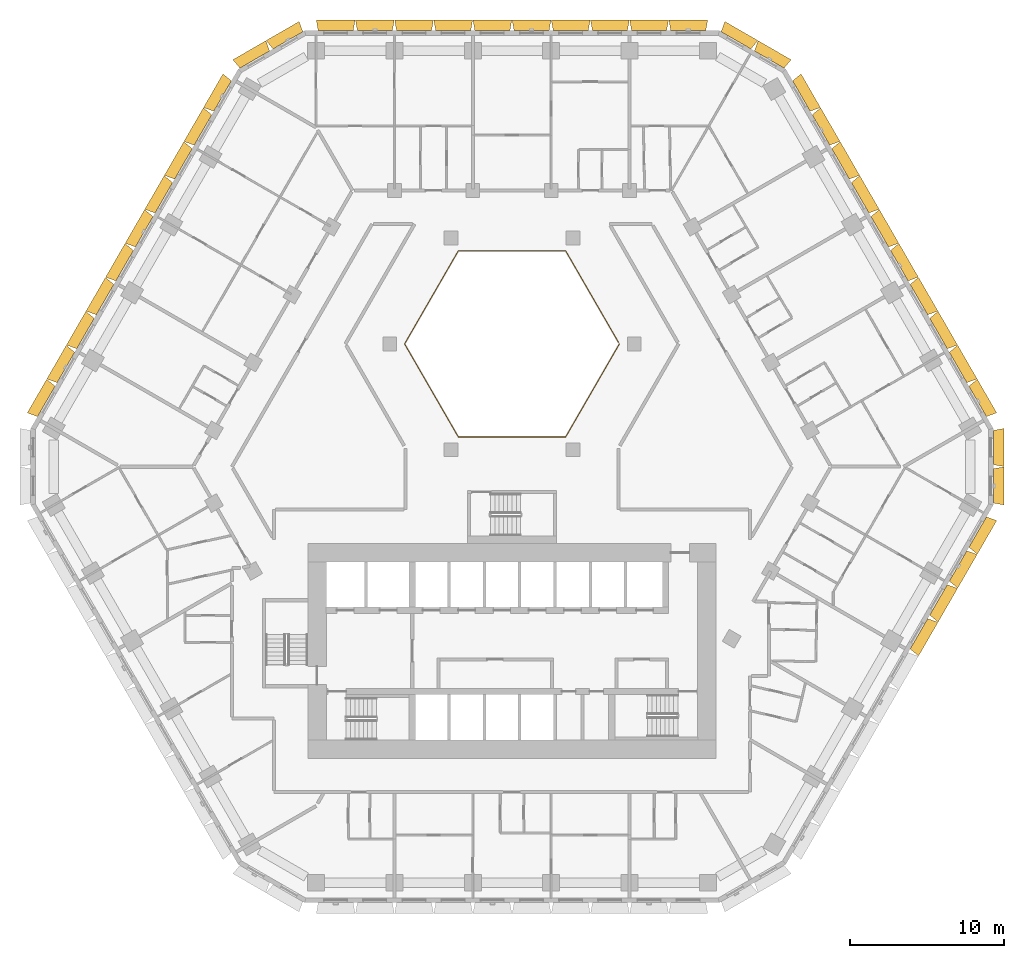
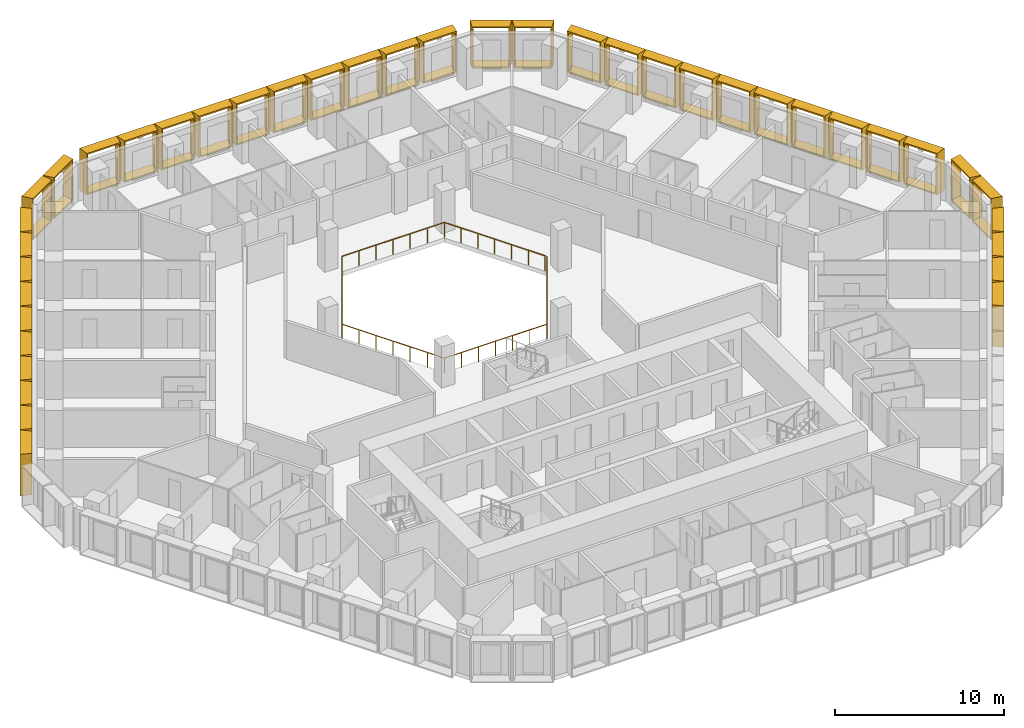
# One storey, part 21 of 21: 40 shading devices, 1 railing.
"""IFC4 building model written with IfcOpenShell, lengths in metres."""

from ifc_helpers import new_model, entity, si_unit, direction, frame, origin, origin_2d, place, context, subcontext, project, spatial, rectangle, extrude, source, transform, mapped, material, type_object, type_shapes, element, save


model = new_model("IFC4")

# Units and contexts
model_context = context("Model", 3, precision=1e-05, world=origin(), true_north=direction((0.0, 1.0)))
body_context = subcontext(model_context, "Body", "Model", "MODEL_VIEW")
ifc_project = project(units=[si_unit("LENGTHUNIT", "METRE"), si_unit("AREAUNIT", "SQUARE_METRE"), si_unit("VOLUMEUNIT", "CUBIC_METRE"), si_unit("PLANEANGLEUNIT", "RADIAN"), si_unit("MASSUNIT", "GRAM", prefix="KILO")], contexts=[model_context])

# Site, building, storey
site_placement = place(None, origin())
site = spatial("IfcSite", under=ifc_project, at=site_placement, CompositionType="ELEMENT")
building_placement = place(site_placement, origin())
building = spatial("IfcBuilding", under=site, at=building_placement, Name="Beryl Residences", CompositionType="ELEMENT")
storey_placement = place(building_placement, frame((0.0, 0.0, 47.39990234375)))
storey = spatial("IfcBuildingStorey", under=building, at=storey_placement, Name="L14", CompositionType="ELEMENT", Elevation=47.39990234375)

# Railing
ifc_material_1 = material(Name="Stainless steel balustrade with glass infill", Category="steel")
railing_type = type_object("IfcRailingType", Name="EG1 edge guard 1100 mm", PredefinedType="GUARDRAIL", material=ifc_material_1)
railing_placement = place(storey_placement, frame((6.9970703125, 8.0, 0.0)))
element("IfcRailing", 1, at=railing_placement, inside=storey, type_object=railing_type, Name="L14 atrium guard", PredefinedType="GUARDRAIL", context=body_context, shape_type="SweptSolid", body=[
    extrude(rectangle(XDim=0.048095703125, YDim=0.048095703125, at=origin_2d()), frame((0.0, 0.0, 1.076171875), z_axis=(-0.499921796684, -0.866070549782, 0.0), x_axis=(0.866070549782, -0.499921796684, 0.0)), (0.0, 0.0, 1.0), 6.9970703125),
    extrude(rectangle(XDim=0.048095703125, YDim=0.048095703125, at=origin_2d()), frame((-3.498046875, -6.06005859375, 1.076171875), z_axis=(-1.0, 0.0, 0.0), x_axis=(0.0, -1.0, 0.0)), (0.0, 0.0, 1.0), 6.998046875),
    extrude(rectangle(XDim=0.048095703125, YDim=0.048095703125, at=origin_2d()), frame((-10.49609375, -6.06005859375, 1.076171875), z_axis=(-0.499921796684, 0.866070549782, 0.0), x_axis=(-0.866070549782, -0.499921796684, 0.0)), (0.0, 0.0, 1.0), 6.9970703125),
    extrude(rectangle(XDim=0.048095703125, YDim=0.048095703125, at=origin_2d()), frame((-13.994140625, 0.0, 1.076171875), z_axis=(0.499921796684, 0.866070549782, 0.0), x_axis=(-0.866070549782, 0.499921796684, 0.0)), (0.0, 0.0, 1.0), 6.9970703125),
    extrude(rectangle(XDim=0.048095703125, YDim=0.048095703125, at=origin_2d()), frame((-10.49609375, 6.06005859375, 1.076171875), z_axis=(1.0, 0.0, 0.0), x_axis=(0.0, 1.0, 0.0)), (0.0, 0.0, 1.0), 6.998046875),
    extrude(rectangle(XDim=0.048095703125, YDim=0.048095703125, at=origin_2d()), frame((-3.498046875, 6.06005859375, 1.076171875), z_axis=(0.499919131929, -0.866072087953, 0.0), x_axis=(0.866072087953, 0.499919131929, 0.0)), (0.0, 0.0, 1.0), 6.877197265625),
    extrude(rectangle(XDim=0.0419921875, YDim=0.0419921875, at=origin_2d()), origin(), (0.0, 0.0, 1.0), 1.052001953125),
    extrude(rectangle(XDim=0.0419921875, YDim=0.0419921875, at=origin_2d()), frame((-0.5830078125, -1.010009765625, 0.0)), (0.0, 0.0, 1.0), 1.052001953125),
    extrude(rectangle(XDim=0.0419921875, YDim=0.0419921875, at=origin_2d()), frame((-1.166015625, -2.02001953125, 0.0)), (0.0, 0.0, 1.0), 1.052001953125),
    extrude(rectangle(XDim=0.0419921875, YDim=0.0419921875, at=origin_2d()), frame((-1.7490234375, -3.030029296875, 0.0)), (0.0, 0.0, 1.0), 1.052001953125),
    extrude(rectangle(XDim=0.0419921875, YDim=0.0419921875, at=origin_2d()), frame((-2.33203125, -4.0400390625, 0.0)), (0.0, 0.0, 1.0), 1.052001953125),
    extrude(rectangle(XDim=0.0419921875, YDim=0.0419921875, at=origin_2d()), frame((-2.9150390625, -5.050048828125, 0.0)), (0.0, 0.0, 1.0), 1.052001953125),
    extrude(rectangle(XDim=0.0419921875, YDim=0.0419921875, at=origin_2d()), frame((-3.498046875, -6.06005859375, 0.0)), (0.0, 0.0, 1.0), 1.052001953125),
    extrude(rectangle(XDim=0.0419921875, YDim=0.0419921875, at=origin_2d()), frame((-4.664306640625, -6.06005859375, 0.0)), (0.0, 0.0, 1.0), 1.052001953125),
    extrude(rectangle(XDim=0.0419921875, YDim=0.0419921875, at=origin_2d()), frame((-5.830810546875, -6.06005859375, 0.0)), (0.0, 0.0, 1.0), 1.052001953125),
    extrude(rectangle(XDim=0.0419921875, YDim=0.0419921875, at=origin_2d()), frame((-6.9970703125, -6.06005859375, 0.0)), (0.0, 0.0, 1.0), 1.052001953125),
    extrude(rectangle(XDim=0.0419921875, YDim=0.0419921875, at=origin_2d()), frame((-8.163330078125, -6.06005859375, 0.0)), (0.0, 0.0, 1.0), 1.052001953125),
    extrude(rectangle(XDim=0.0419921875, YDim=0.0419921875, at=origin_2d()), frame((-9.329833984375, -6.06005859375, 0.0)), (0.0, 0.0, 1.0), 1.052001953125),
    extrude(rectangle(XDim=0.0419921875, YDim=0.0419921875, at=origin_2d()), frame((-10.49609375, -6.06005859375, 0.0)), (0.0, 0.0, 1.0), 1.052001953125),
    extrude(rectangle(XDim=0.0419921875, YDim=0.0419921875, at=origin_2d()), frame((-11.0791015625, -5.050048828125, 0.0)), (0.0, 0.0, 1.0), 1.052001953125),
    extrude(rectangle(XDim=0.0419921875, YDim=0.0419921875, at=origin_2d()), frame((-11.662109375, -4.0400390625, 0.0)), (0.0, 0.0, 1.0), 1.052001953125),
    extrude(rectangle(XDim=0.0419921875, YDim=0.0419921875, at=origin_2d()), frame((-12.2451171875, -3.030029296875, 0.0)), (0.0, 0.0, 1.0), 1.052001953125),
    extrude(rectangle(XDim=0.0419921875, YDim=0.0419921875, at=origin_2d()), frame((-12.828125, -2.02001953125, 0.0)), (0.0, 0.0, 1.0), 1.052001953125),
    extrude(rectangle(XDim=0.0419921875, YDim=0.0419921875, at=origin_2d()), frame((-13.4111328125, -1.010009765625, 0.0)), (0.0, 0.0, 1.0), 1.052001953125),
    extrude(rectangle(XDim=0.0419921875, YDim=0.0419921875, at=origin_2d()), frame((-13.994140625, 0.0, 0.0)), (0.0, 0.0, 1.0), 1.052001953125),
    extrude(rectangle(XDim=0.0419921875, YDim=0.0419921875, at=origin_2d()), frame((-13.4111328125, 1.010009765625, 0.0)), (0.0, 0.0, 1.0), 1.052001953125),
    extrude(rectangle(XDim=0.0419921875, YDim=0.0419921875, at=origin_2d()), frame((-12.828125, 2.02001953125, 0.0)), (0.0, 0.0, 1.0), 1.052001953125),
    extrude(rectangle(XDim=0.0419921875, YDim=0.0419921875, at=origin_2d()), frame((-12.2451171875, 3.030029296875, 0.0)), (0.0, 0.0, 1.0), 1.052001953125),
    extrude(rectangle(XDim=0.0419921875, YDim=0.0419921875, at=origin_2d()), frame((-11.662109375, 4.0400390625, 0.0)), (0.0, 0.0, 1.0), 1.052001953125),
    extrude(rectangle(XDim=0.0419921875, YDim=0.0419921875, at=origin_2d()), frame((-11.0791015625, 5.050048828125, 0.0)), (0.0, 0.0, 1.0), 1.052001953125),
    extrude(rectangle(XDim=0.0419921875, YDim=0.0419921875, at=origin_2d()), frame((-10.49609375, 6.06005859375, 0.0)), (0.0, 0.0, 1.0), 1.052001953125),
    extrude(rectangle(XDim=0.0419921875, YDim=0.0419921875, at=origin_2d()), frame((-9.329833984375, 6.06005859375, 0.0)), (0.0, 0.0, 1.0), 1.052001953125),
    extrude(rectangle(XDim=0.0419921875, YDim=0.0419921875, at=origin_2d()), frame((-8.163330078125, 6.06005859375, 0.0)), (0.0, 0.0, 1.0), 1.052001953125),
    extrude(rectangle(XDim=0.0419921875, YDim=0.0419921875, at=origin_2d()), frame((-6.9970703125, 6.06005859375, 0.0)), (0.0, 0.0, 1.0), 1.052001953125),
    extrude(rectangle(XDim=0.0419921875, YDim=0.0419921875, at=origin_2d()), frame((-5.830810546875, 6.06005859375, 0.0)), (0.0, 0.0, 1.0), 1.052001953125),
    extrude(rectangle(XDim=0.0419921875, YDim=0.0419921875, at=origin_2d()), frame((-4.664306640625, 6.06005859375, 0.0)), (0.0, 0.0, 1.0), 1.052001953125),
    extrude(rectangle(XDim=0.0419921875, YDim=0.0419921875, at=origin_2d()), frame((-3.498046875, 6.06005859375, 0.0)), (0.0, 0.0, 1.0), 1.052001953125),
    extrude(rectangle(XDim=0.0419921875, YDim=0.0419921875, at=origin_2d()), frame((-2.925048828125, 5.0673828125, 0.0)), (0.0, 0.0, 1.0), 1.052001953125),
    extrude(rectangle(XDim=0.0419921875, YDim=0.0419921875, at=origin_2d()), frame((-2.35205078125, 4.07470703125, 0.0)), (0.0, 0.0, 1.0), 1.052001953125),
    extrude(rectangle(XDim=0.0419921875, YDim=0.0419921875, at=origin_2d()), frame((-1.779052734375, 3.08203125, 0.0)), (0.0, 0.0, 1.0), 1.052001953125),
    extrude(rectangle(XDim=0.0419921875, YDim=0.0419921875, at=origin_2d()), frame((-1.2060546875, 2.08935546875, 0.0)), (0.0, 0.0, 1.0), 1.052001953125),
    extrude(rectangle(XDim=0.0419921875, YDim=0.0419921875, at=origin_2d()), frame((-0.633056640625, 1.0966796875, 0.0)), (0.0, 0.0, 1.0), 1.052001953125),
    extrude(rectangle(XDim=0.0419921875, YDim=0.0419921875, at=origin_2d()), frame((-0.06005859375, 0.10400390625, 0.0)), (0.0, 0.0, 1.0), 1.052001953125),
])

# Shading devices
ifc_material_2 = material(Name="Aluminium pale anodised", Category="aluminium")
shading_device_type_1 = type_object("IfcShadingDeviceType", Name="FR250-70A OUTER SKIN frame 700 mm deep, splay 10/10 deg, 2500 x 3000 mm cell", PredefinedType="USERDEFINED", material=ifc_material_2)
cartesian_point_1 = entity("IfcCartesianPoint", [-1.116455078125, 0.0])
cartesian_point_2 = entity("IfcCartesianPoint", [-1.03515625, 0.10009765625])
cartesian_point_3 = entity("IfcCartesianPoint", [-1.239990234375, 0.0])
cartesian_point_4 = entity("IfcCartesianPoint", [-1.15869140625, 0.10009765625])
shared_shape_1 = source(origin(), body_context, "Body", "SweptSolid", [
    entity("IfcExtrudedAreaSolidTapered", entity("IfcArbitraryProfileDefWithVoids", "AREA", None, entity("IfcPolyline", [cartesian_point_1, entity("IfcCartesianPoint", [1.116455078125, 0.0]), entity("IfcCartesianPoint", [1.116455078125, 3.0]), entity("IfcCartesianPoint", [-1.116455078125, 3.0]), cartesian_point_1]), [entity("IfcPolyline", [cartesian_point_2, entity("IfcCartesianPoint", [1.03515625, 0.10009765625]), entity("IfcCartesianPoint", [1.03515625, 2.89990234375]), entity("IfcCartesianPoint", [-1.03515625, 2.89990234375]), cartesian_point_2])]), entity("IfcAxis2Placement3D", entity("IfcCartesianPoint", [0.0, 0.0, 0.0]), entity("IfcDirection", [0.0, 1.0, 0.0]), entity("IfcDirection", [-1.0, 0.0, 0.0])), entity("IfcDirection", [0.0, 0.0, 1.0]), 0.699951171875, entity("IfcArbitraryProfileDefWithVoids", "AREA", None, entity("IfcPolyline", [cartesian_point_3, entity("IfcCartesianPoint", [1.239990234375, 0.0]), entity("IfcCartesianPoint", [1.239990234375, 3.0]), entity("IfcCartesianPoint", [-1.239990234375, 3.0]), cartesian_point_3]), [entity("IfcPolyline", [cartesian_point_4, entity("IfcCartesianPoint", [1.15869140625, 0.10009765625]), entity("IfcCartesianPoint", [1.15869140625, 2.89990234375]), entity("IfcCartesianPoint", [-1.15869140625, 2.89990234375]), cartesian_point_4])])),
])
type_shapes(shading_device_type_1, [shared_shape_1])
for number, where, z_axis, x_axis, name in (
    (2, (-14.593017578125, 27.77490234375, 0.0), (0.0, 0.0, 1.0), (0.866025403784, 0.5, 0.0), "FR250-70A frame L14 N-NW 1"),
    (3, (-16.758056640625, 26.52490234375, 0.0), (0.0, 0.0, 1.0), (0.866025403784, 0.5, 0.0), "FR250-70A frame L14 N-NW 2"),
    (4, (31.35009765625, -1.25, 0.0), (0.0, 0.0, 1.0), (0.0, -1.0, 0.0), "FR250-70A frame L14 SE-NE 1"),
    (5, (31.35009765625, 1.25, 0.0), (0.0, 0.0, 1.0), (0.0, -1.0, 0.0), "FR250-70A frame L14 SE-NE 2"),
    (6, (16.758056640625, 26.52490234375, 0.0), (0.0, 0.0, 1.0), (0.866025403784, -0.5, 0.0), "FR250-70A frame L14 NE-N 1"),
    (7, (14.593017578125, 27.77490234375, 0.0), (0.0, 0.0, 1.0), (0.866025403784, -0.5, 0.0), "FR250-70A frame L14 NE-N 2"),
):
    element("IfcShadingDevice", number, at=place(storey_placement, frame(where, z_axis=z_axis, x_axis=x_axis)), inside=storey, type_object=shading_device_type_1, Name=name, ObjectType="OUTER SKIN", PredefinedType="USERDEFINED", context=body_context, shape_type="MappedRepresentation", body=[
        mapped(shared_shape_1, transform((0.0, 0.0, 0.0))),
    ])
ifc_material_3 = material(Name="Aluminium pale anodised", Category="aluminium")
shading_device_type_2 = type_object("IfcShadingDeviceType", Name="FR255-70A OUTER SKIN frame 700 mm deep, splay 10/10 deg, 2550 x 3000 mm cell", PredefinedType="USERDEFINED", material=ifc_material_3)
cartesian_point_5 = entity("IfcCartesianPoint", [-1.1416015625, 0.0])
cartesian_point_6 = entity("IfcCartesianPoint", [-1.060302734375, 0.10009765625])
cartesian_point_7 = entity("IfcCartesianPoint", [-1.264892578125, 0.0])
cartesian_point_8 = entity("IfcCartesianPoint", [-1.18359375, 0.10009765625])
shared_shape_2 = source(origin(), body_context, "Body", "SweptSolid", [
    entity("IfcExtrudedAreaSolidTapered", entity("IfcArbitraryProfileDefWithVoids", "AREA", None, entity("IfcPolyline", [cartesian_point_5, entity("IfcCartesianPoint", [1.1416015625, 0.0]), entity("IfcCartesianPoint", [1.1416015625, 3.0]), entity("IfcCartesianPoint", [-1.1416015625, 3.0]), cartesian_point_5]), [entity("IfcPolyline", [cartesian_point_6, entity("IfcCartesianPoint", [1.060302734375, 0.10009765625]), entity("IfcCartesianPoint", [1.060302734375, 2.89990234375]), entity("IfcCartesianPoint", [-1.060302734375, 2.89990234375]), cartesian_point_6])]), entity("IfcAxis2Placement3D", entity("IfcCartesianPoint", [0.0, 0.0, 0.0]), entity("IfcDirection", [0.0, 1.0, 0.0]), entity("IfcDirection", [-1.0, 0.0, 0.0])), entity("IfcDirection", [0.0, 0.0, 1.0]), 0.699951171875, entity("IfcArbitraryProfileDefWithVoids", "AREA", None, entity("IfcPolyline", [cartesian_point_7, entity("IfcCartesianPoint", [1.264892578125, 0.0]), entity("IfcCartesianPoint", [1.264892578125, 3.0]), entity("IfcCartesianPoint", [-1.264892578125, 3.0]), cartesian_point_7]), [entity("IfcPolyline", [cartesian_point_8, entity("IfcCartesianPoint", [1.18359375, 0.10009765625]), entity("IfcCartesianPoint", [1.18359375, 2.89990234375]), entity("IfcCartesianPoint", [-1.18359375, 2.89990234375]), cartesian_point_8])])),
])
type_shapes(shading_device_type_2, [shared_shape_2])
for number, where, z_axis, x_axis, name in (
    (8, (11.48291015625, 28.39990234375, 0.0), (0.0, 0.0, 1.0), (1.0, 0.0, 0.0), "FR255-70A frame L14 N 1"),
    (9, (8.930908203125, 28.39990234375, 0.0), (0.0, 0.0, 1.0), (1.0, 0.0, 0.0), "FR255-70A frame L14 N 2"),
    (10, (6.37890625, 28.39990234375, 0.0), (0.0, 0.0, 1.0), (1.0, 0.0, 0.0), "FR255-70A frame L14 N 3"),
    (11, (3.826904296875, 28.39990234375, 0.0), (0.0, 0.0, 1.0), (1.0, 0.0, 0.0), "FR255-70A frame L14 N 4"),
    (12, (1.27490234375, 28.39990234375, 0.0), (0.0, 0.0, 1.0), (1.0, 0.0, 0.0), "FR255-70A frame L14 N 5"),
    (13, (-1.277099609375, 28.39990234375, 0.0), (0.0, 0.0, 1.0), (1.0, 0.0, 0.0), "FR255-70A frame L14 N 6"),
    (14, (-3.8291015625, 28.39990234375, 0.0), (0.0, 0.0, 1.0), (1.0, 0.0, 0.0), "FR255-70A frame L14 N 7"),
    (15, (-6.381103515625, 28.39990234375, 0.0), (0.0, 0.0, 1.0), (1.0, 0.0, 0.0), "FR255-70A frame L14 N 8"),
    (16, (-8.93310546875, 28.39990234375, 0.0), (0.0, 0.0, 1.0), (1.0, 0.0, 0.0), "FR255-70A frame L14 N 9"),
    (17, (-11.485107421875, 28.39990234375, 0.0), (0.0, 0.0, 1.0), (1.0, 0.0, 0.0), "FR255-70A frame L14 N 10"),
    (18, (-18.85400390625, 24.14501953125, 0.0), (0.0, 0.0, 1.0), (0.5, 0.866025403784, 0.0), "FR255-70A frame L14 NW 1"),
    (19, (-20.1298828125, 21.93505859375, 0.0), (0.0, 0.0, 1.0), (0.5, 0.866025403784, 0.0), "FR255-70A frame L14 NW 2"),
    (20, (-21.406005859375, 19.72412109375, 0.0), (0.0, 0.0, 1.0), (0.5, 0.866025403784, 0.0), "FR255-70A frame L14 NW 3"),
    (21, (-22.681884765625, 17.513916015625, 0.0), (0.0, 0.0, 1.0), (0.5, 0.866025403784, 0.0), "FR255-70A frame L14 NW 4"),
    (22, (-23.9580078125, 15.303955078125, 0.0), (0.0, 0.0, 1.0), (0.5, 0.866025403784, 0.0), "FR255-70A frame L14 NW 5"),
    (23, (-25.23291015625, 13.093994140625, 0.0), (0.0, 0.0, 1.0), (0.5, 0.866025403784, 0.0), "FR255-70A frame L14 NW 6"),
    (24, (-26.509033203125, 10.884033203125, 0.0), (0.0, 0.0, 1.0), (0.5, 0.866025403784, 0.0), "FR255-70A frame L14 NW 7"),
    (25, (-27.784912109375, 8.674072265625, 0.0), (0.0, 0.0, 1.0), (0.5, 0.866025403784, 0.0), "FR255-70A frame L14 NW 8"),
    (26, (-29.06103515625, 6.464111328125, 0.0), (0.0, 0.0, 1.0), (0.5, 0.866025403784, 0.0), "FR255-70A frame L14 NW 9"),
    (27, (-30.3369140625, 4.25390625, 0.0), (0.0, 0.0, 1.0), (0.5, 0.866025403784, 0.0), "FR255-70A frame L14 NW 10"),
    (28, (26.509033203125, -10.884033203125, 0.0), (0.0, 0.0, 1.0), (-0.5, -0.866025403784, 0.0), "FR255-70A frame L14 SE 7"),
    (29, (27.784912109375, -8.674072265625, 0.0), (0.0, 0.0, 1.0), (-0.5, -0.866025403784, 0.0), "FR255-70A frame L14 SE 8"),
    (30, (29.06103515625, -6.464111328125, 0.0), (0.0, 0.0, 1.0), (-0.5, -0.866025403784, 0.0), "FR255-70A frame L14 SE 9"),
    (31, (30.3369140625, -4.25390625, 0.0), (0.0, 0.0, 1.0), (-0.5, -0.866025403784, 0.0), "FR255-70A frame L14 SE 10"),
    (32, (30.3359375, 4.2548828125, 0.0), (0.0, 0.0, 1.0), (0.5, -0.866025403784, 0.0), "FR255-70A frame L14 NE 1"),
    (33, (29.06005859375, 6.465087890625, 0.0), (0.0, 0.0, 1.0), (0.5, -0.866025403784, 0.0), "FR255-70A frame L14 NE 2"),
    (34, (27.783935546875, 8.676025390625, 0.0), (0.0, 0.0, 1.0), (0.5, -0.866025403784, 0.0), "FR255-70A frame L14 NE 3"),
    (35, (26.508056640625, 10.885986328125, 0.0), (0.0, 0.0, 1.0), (0.5, -0.866025403784, 0.0), "FR255-70A frame L14 NE 4"),
    (36, (25.23193359375, 13.095947265625, 0.0), (0.0, 0.0, 1.0), (0.5, -0.866025403784, 0.0), "FR255-70A frame L14 NE 5"),
    (37, (23.95703125, 15.305908203125, 0.0), (0.0, 0.0, 1.0), (0.5, -0.866025403784, 0.0), "FR255-70A frame L14 NE 6"),
    (38, (22.680908203125, 17.51611328125, 0.0), (0.0, 0.0, 1.0), (0.5, -0.866025403784, 0.0), "FR255-70A frame L14 NE 7"),
    (39, (21.405029296875, 19.72607421875, 0.0), (0.0, 0.0, 1.0), (0.5, -0.866025403784, 0.0), "FR255-70A frame L14 NE 8"),
    (40, (20.12890625, 21.93603515625, 0.0), (0.0, 0.0, 1.0), (0.5, -0.866025403784, 0.0), "FR255-70A frame L14 NE 9"),
    (41, (18.85302734375, 24.14599609375, 0.0), (0.0, 0.0, 1.0), (0.5, -0.866025403784, 0.0), "FR255-70A frame L14 NE 10"),
):
    element("IfcShadingDevice", number, at=place(storey_placement, frame(where, z_axis=z_axis, x_axis=x_axis)), inside=storey, type_object=shading_device_type_2, Name=name, ObjectType="OUTER SKIN", PredefinedType="USERDEFINED", context=body_context, shape_type="MappedRepresentation", body=[
        mapped(shared_shape_2, transform((0.0, 0.0, 0.0))),
    ])

save(model, "model.ifc")
